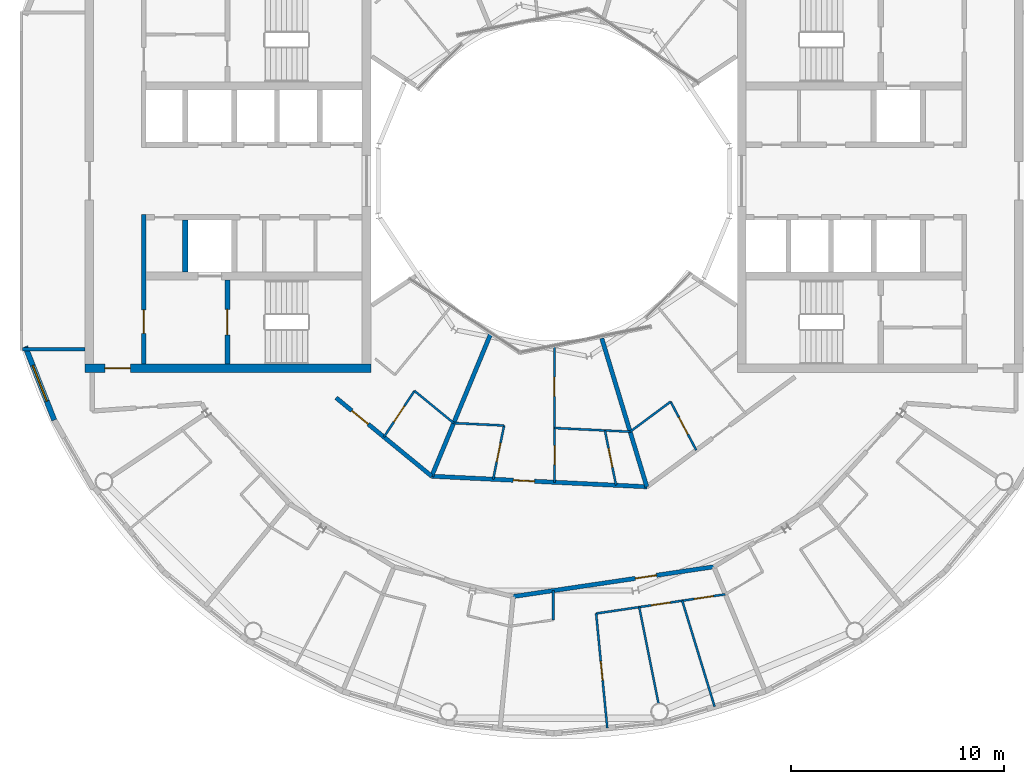
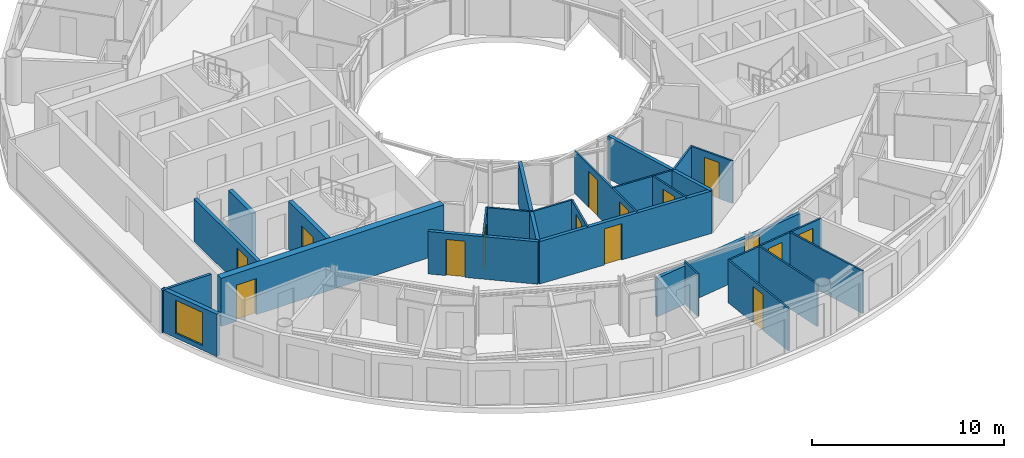
# One storey, part 12 of 22: 25 walls, 15 doors, 1 window, 16 openings.
"""IFC4 building model written with IfcOpenShell, lengths in metres."""

from ifc_helpers import new_model, si_unit, direction, frame, frame_2d, origin, place, context, subcontext, project, spatial, rectangle, extrude, material, layer, layer_set, type_object, element, fill, save


model = new_model("IFC4")

# Units and contexts
model_context = context("Model", 3, precision=1e-05, world=origin(), true_north=direction((0.0, 1.0)))
body_context = subcontext(model_context, "Body", "Model", "MODEL_VIEW")
ifc_project = project(units=[si_unit("LENGTHUNIT", "METRE"), si_unit("AREAUNIT", "SQUARE_METRE"), si_unit("VOLUMEUNIT", "CUBIC_METRE"), si_unit("PLANEANGLEUNIT", "RADIAN"), si_unit("MASSUNIT", "GRAM", prefix="KILO")], contexts=[model_context])

# Site, building, storey
site_placement = place(None, origin())
site = spatial("IfcSite", under=ifc_project, at=site_placement, CompositionType="ELEMENT")
building_placement = place(site_placement, origin())
building = spatial("IfcBuilding", under=site, at=building_placement, Name="Maasbend Ring Residences", CompositionType="ELEMENT")
storey_placement = place(building_placement, frame((0.0, 0.0, 237.10009765625)))
storey = spatial("IfcBuildingStorey", under=building, at=storey_placement, Name="L68", CompositionType="ELEMENT", Elevation=237.10009765625)

# Wall, opening, door
ifc_material_1 = material(Name="Concrete C50/60", Category="concrete")
ifc_layer_1 = layer(ifc_material_1, 0.25)
ifc_layer_set_1 = layer_set([ifc_layer_1], Name="Concrete C50/60")
wall_type_1 = type_object("IfcWallType", Name="CORE WALL 250 C50/60", PredefinedType="SHEAR", material=ifc_layer_set_1)
wall_1_placement = place(storey_placement, frame((-15.324951171875, -4.64990234375, 0.0), z_axis=(0.0, 0.0, 1.0), x_axis=(0.0, -1.0, 0.0)))
wall_1 = element("IfcWall", 1, at=wall_1_placement, inside=storey, type_object=wall_type_1, Name="L68 core W wall STEN", PredefinedType="SHEAR", context=body_context, shape_type="SweptSolid", body=[
    extrude(rectangle(XDim=3.9501953125, YDim=0.25, at=frame_2d((1.97509765625, 0.0))), origin(), (0.0, 0.0, 1.0), 3.0498046875),
])
opening_1_placement = place(wall_1_placement, frame((1.375, 0.0, 0.0)))
opening_1 = element("IfcOpeningElement", 2, at=opening_1_placement, cuts=wall_1, Name="Opening D-W6811", PredefinedType="OPENING", context=body_context, shape_type="SweptSolid", body=[
    extrude(rectangle(XDim=1.199951171875, YDim=2.300048828125, at=frame_2d((0.60009765625, 1.14990234375))), frame((0.0, 0.135009765625, 0.0), z_axis=(0.0, -1.0, 0.0), x_axis=(1.0, 0.0, 0.0)), (0.0, 0.0, 1.0), 0.27001953125),
])
ifc_material_2 = material(Name="Steel, powder coated", Category="steel")
door_type_1 = type_object("IfcDoorType", Name="STAIR DOOR 1200 X 2300 FD60", OperationType="NOTDEFINED", PredefinedType="DOOR", material=ifc_material_2)
door_1_placement = place(opening_1_placement, origin())
door_1 = element("IfcDoor", 3, at=door_1_placement, inside=storey, type_object=door_type_1, Name="Stair door ST-W L68", OperationType="SINGLE_SWING_LEFT", OverallHeight=2.300048828125, OverallWidth=1.199951171875, PredefinedType="DOOR", context=body_context, shape_type="SweptSolid", body=[
    extrude(rectangle(XDim=1.199951171875, YDim=2.300048828125, at=frame_2d((0.60009765625, 1.14990234375))), frame((0.0, 0.02490234375, 0.0), z_axis=(0.0, -1.0, 0.0), x_axis=(1.0, 0.0, 0.0)), (0.0, 0.0, 1.0), 0.050048828125),
])
fill(opening_1, door_1)

ifc_material_3 = material(Name="Concrete C50/60", Category="concrete")
ifc_layer_2 = layer(ifc_material_3, 0.39990234375)
ifc_layer_set_2 = layer_set([ifc_layer_2], Name="Concrete C50/60")
wall_type_2 = type_object("IfcWallType", Name="CORE WALL 400 C50/60", PredefinedType="SHEAR", material=ifc_layer_set_2)
wall_2_placement = place(storey_placement, frame((-22.0, -8.800048828125, 0.0), z_axis=(0.0, 0.0, 1.0), x_axis=(1.0, 0.0, 0.0)))
wall_2 = element("IfcWall", 4, at=wall_2_placement, inside=storey, type_object=wall_type_2, Name="L68 core W wall PN", PredefinedType="SHEAR", context=body_context, shape_type="SweptSolid", body=[
    extrude(rectangle(XDim=13.39990234375, YDim=0.39990234375, at=frame_2d((6.699951171875, 0.0))), origin(), (0.0, 0.0, 1.0), 3.0498046875),
])
opening_2_placement = place(wall_2_placement, frame((0.925048828125, 0.0, 0.0)))
opening_2 = element("IfcOpeningElement", 5, at=opening_2_placement, cuts=wall_2, Name="Opening D-W6815", PredefinedType="OPENING", context=body_context, shape_type="SweptSolid", body=[
    extrude(rectangle(XDim=1.199951171875, YDim=2.300048828125, at=frame_2d((0.60009765625, 1.14990234375))), frame((0.0, 0.2099609375, 0.0), z_axis=(0.0, -1.0, 0.0), x_axis=(1.0, 0.0, 0.0)), (0.0, 0.0, 1.0), 0.419921875),
])
ifc_material_4 = material(Name="Steel, powder coated", Category="steel")
door_type_2 = type_object("IfcDoorType", Name="CORRIDOR DOOR 1200 X 2300 FD30S", OperationType="NOTDEFINED", PredefinedType="DOOR", material=ifc_material_4)
door_2_placement = place(opening_2_placement, origin())
door_2 = element("IfcDoor", 6, at=door_2_placement, inside=storey, type_object=door_type_2, Name="Corridor door L68", OperationType="SINGLE_SWING_RIGHT", OverallHeight=2.300048828125, OverallWidth=1.199951171875, PredefinedType="DOOR", context=body_context, shape_type="SweptSolid", body=[
    extrude(rectangle(XDim=1.199951171875, YDim=2.300048828125, at=frame_2d((0.60009765625, 1.14990234375))), frame((0.0, 0.02490234375, 0.0), z_axis=(0.0, -1.0, 0.0), x_axis=(1.0, 0.0, 0.0)), (0.0, 0.0, 1.0), 0.050048828125),
])
fill(opening_2, door_2)

ifc_material_5 = material(Name="Concrete C30/37", Category="concrete")
ifc_layer_3 = layer(ifc_material_5, 0.199951171875)
ifc_layer_set_3 = layer_set([ifc_layer_3], Name="Concrete C30/37")
wall_type_3 = type_object("IfcWallType", Name="CORRIDOR WALL 200 CONCRETE", PredefinedType="PARTITIONING", material=ifc_layer_set_3)
wall_3_placement = place(storey_placement, frame((-1.927001953125, -19.506103515625, 0.0), z_axis=(0.0, 0.0, 1.0), x_axis=(0.989181308547, 0.146698121399, 0.0)))
wall_3 = element("IfcWall", 7, at=wall_3_placement, inside=storey, type_object=wall_type_3, Name="U-L68-w022", PredefinedType="PARTITIONING", context=body_context, shape_type="SweptSolid", body=[
    extrude(rectangle(XDim=9.531005859375, YDim=0.199951171875, at=frame_2d((4.765625, 0.0))), origin(), (0.0, 0.0, 1.0), 2.449951171875),
])
opening_3_placement = place(wall_3_placement, frame((5.81103515625, 0.0, 0.0)))
opening_3 = element("IfcOpeningElement", 8, at=opening_3_placement, cuts=wall_3, Name="Opening D-6842", PredefinedType="OPENING", context=body_context, shape_type="SweptSolid", body=[
    extrude(rectangle(XDim=1.0, YDim=2.300048828125, at=frame_2d((0.5, 1.14990234375))), frame((0.0, 0.10986328125, 0.0), z_axis=(0.0, -1.0, 0.0), x_axis=(1.0, 0.0, 0.0)), (0.0, 0.0, 1.0), 0.219970703125),
])
ifc_material_6 = material(Name="Timber, fire-rated, painted", Category="wood")
door_type_3 = type_object("IfcDoorType", Name="FLAT ENTRANCE DOOR 1000 X 2300 FIRE-RATED", OperationType="NOTDEFINED", PredefinedType="DOOR", material=ifc_material_6)
door_3_placement = place(opening_3_placement, origin())
door_3 = element("IfcDoor", 9, at=door_3_placement, inside=storey, type_object=door_type_3, Name="D-6842", OperationType="SINGLE_SWING_RIGHT", OverallHeight=2.300048828125, OverallWidth=1.0, PredefinedType="DOOR", context=body_context, shape_type="SweptSolid", body=[
    extrude(rectangle(XDim=1.0, YDim=2.300048828125, at=frame_2d((0.5, 1.14990234375))), frame((0.0, 0.02490234375, 0.0), z_axis=(0.0, -1.0, 0.0), x_axis=(1.0, 0.0, 0.0)), (0.0, 0.0, 1.0), 0.050048828125),
])
fill(opening_3, door_3)

wall_4_placement = place(storey_placement, frame((-10.22607421875, -10.177001953125, 0.0), z_axis=(0.0, 0.0, 1.0), x_axis=(0.773071783484, -0.634318545828, 0.0)))
wall_4 = element("IfcWall", 10, at=wall_4_placement, inside=storey, type_object=wall_type_3, Name="U-L68-w023", PredefinedType="PARTITIONING", context=body_context, shape_type="SweptSolid", body=[
    extrude(rectangle(XDim=5.802978515625, YDim=0.199951171875, at=frame_2d((2.9013671875, 0.0))), origin(), (0.0, 0.0, 1.0), 2.699951171875),
])
opening_4_placement = place(wall_4_placement, frame((0.948974609375, 0.0, 0.0)))
opening_4 = element("IfcOpeningElement", 11, at=opening_4_placement, cuts=wall_4, Name="Opening D-6853", PredefinedType="OPENING", context=body_context, shape_type="SweptSolid", body=[
    extrude(rectangle(XDim=1.0, YDim=2.300048828125, at=frame_2d((0.5, 1.14990234375))), frame((0.0, 0.10986328125, 0.0), z_axis=(0.0, -1.0, 0.0), x_axis=(1.0, 0.0, 0.0)), (0.0, 0.0, 1.0), 0.219970703125),
])
door_4_placement = place(opening_4_placement, origin())
door_4 = element("IfcDoor", 12, at=door_4_placement, inside=storey, type_object=door_type_3, Name="D-6853", OperationType="SINGLE_SWING_LEFT", OverallHeight=2.300048828125, OverallWidth=1.0, PredefinedType="DOOR", context=body_context, shape_type="SweptSolid", body=[
    extrude(rectangle(XDim=1.0, YDim=2.300048828125, at=frame_2d((0.5, 1.14990234375))), frame((0.0, 0.02490234375, 0.0), z_axis=(0.0, -1.0, 0.0), x_axis=(1.0, 0.0, 0.0)), (0.0, 0.0, 1.0), 0.050048828125),
])
fill(opening_4, door_4)

wall_5_placement = place(storey_placement, frame((-5.737060546875, -13.85888671875, 0.0), z_axis=(0.0, 0.0, 1.0), x_axis=(0.998799182242, -0.048991770265, 0.0)))
wall_5 = element("IfcWall", 13, at=wall_5_placement, inside=storey, type_object=wall_type_3, Name="U-L68-w024", PredefinedType="PARTITIONING", context=body_context, shape_type="SweptSolid", body=[
    extrude(rectangle(XDim=10.106201171875, YDim=0.199951171875, at=frame_2d((5.05322265625, 0.0))), origin(), (0.0, 0.0, 1.0), 2.699951171875),
])
opening_5_placement = place(wall_5_placement, frame((3.827880859375, 0.0, 0.0)))
opening_5 = element("IfcOpeningElement", 14, at=opening_5_placement, cuts=wall_5, Name="Opening D-6856", PredefinedType="OPENING", context=body_context, shape_type="SweptSolid", body=[
    extrude(rectangle(XDim=1.0, YDim=2.300048828125, at=frame_2d((0.5, 1.14990234375))), frame((0.0, 0.10986328125, 0.0), z_axis=(0.0, -1.0, 0.0), x_axis=(1.0, 0.0, 0.0)), (0.0, 0.0, 1.0), 0.219970703125),
])
door_5_placement = place(opening_5_placement, origin())
door_5 = element("IfcDoor", 15, at=door_5_placement, inside=storey, type_object=door_type_3, Name="D-6856", OperationType="SINGLE_SWING_LEFT", OverallHeight=2.300048828125, OverallWidth=1.0, PredefinedType="DOOR", context=body_context, shape_type="SweptSolid", body=[
    extrude(rectangle(XDim=1.0, YDim=2.300048828125, at=frame_2d((0.5, 1.14990234375))), frame((0.0, 0.02490234375, 0.0), z_axis=(0.0, -1.0, 0.0), x_axis=(1.0, 0.0, 0.0)), (0.0, 0.0, 1.0), 0.050048828125),
])
fill(opening_5, door_5)

# Wall, opening, window
ifc_material_7 = material(Name="Aluminium clad insulated panel", Category="aluminium")
ifc_layer_4 = layer(ifc_material_7, 0.25)
ifc_layer_set_4 = layer_set([ifc_layer_4], Name="EW-HORN")
wall_type_4 = type_object("IfcWallType", Name="EW-HORN", PredefinedType="SOLIDWALL", material=ifc_layer_set_4)
wall_6_placement = place(storey_placement, frame((-24.80908203125, -7.779052734375, 0.0), z_axis=(0.0, 0.0, 1.0), x_axis=(0.366351636034, -0.930476479432, 0.0)))
wall_6 = element("IfcWall", 16, at=wall_6_placement, inside=storey, type_object=wall_type_4, Name="Horn wall 3.1", PredefinedType="SOLIDWALL", context=body_context, shape_type="SweptSolid", body=[
    extrude(rectangle(XDim=3.70458984375, YDim=0.25, at=frame_2d((1.852294921875, 0.0))), origin(), (0.0, 0.0, 1.0), 2.699951171875),
])
opening_6_placement = place(wall_6_placement, frame((0.952392578125, 0.0, 0.300048828125)))
opening_6 = element("IfcOpeningElement", 17, at=opening_6_placement, cuts=wall_6, Name="Opening W-BX", PredefinedType="OPENING", context=body_context, shape_type="SweptSolid", body=[
    extrude(rectangle(XDim=1.800048828125, YDim=2.10009765625, at=frame_2d((0.89990234375, 1.050048828125))), frame((0.0, 0.135009765625, 0.0), z_axis=(0.0, -1.0, 0.0), x_axis=(1.0, 0.0, 0.0)), (0.0, 0.0, 1.0), 0.27001953125),
])
ifc_material_8 = material(Name="Aluminium and clear glass", Category="aluminium")
window_type = type_object("IfcWindowType", Name="W-BX", PartitioningType="DOUBLE_PANEL_VERTICAL", PredefinedType="WINDOW", material=ifc_material_8)
window_placement = place(opening_6_placement, origin())
window = element("IfcWindow", 18, at=window_placement, inside=storey, type_object=window_type, Name="Horn window 3.1", OverallHeight=2.10009765625, OverallWidth=1.800048828125, PartitioningType="SINGLE_PANEL", PredefinedType="WINDOW", context=body_context, shape_type="SweptSolid", body=[
    extrude(rectangle(XDim=1.800048828125, YDim=2.10009765625, at=frame_2d((0.89990234375, 1.050048828125))), frame((0.0, 0.030029296875, 0.0), z_axis=(0.0, -1.0, 0.0), x_axis=(1.0, 0.0, 0.0)), (0.0, 0.0, 1.0), 0.06005859375),
])
fill(opening_6, window)

# Wall, openings, doors
ifc_material_9 = material(Name="Gypsum board on steel studs", Category="steel")
ifc_layer_5 = layer(ifc_material_9, 0.10009765625)
ifc_layer_set_5 = layer_set([ifc_layer_5], Name="PARTITION 100 GYPSUM")
wall_type_5 = type_object("IfcWallType", Name="PARTITION 100 GYPSUM", PredefinedType="PARTITIONING", material=ifc_layer_set_5)
wall_7_placement = place(storey_placement, frame((1.97607421875, -20.301025390625, 0.0), z_axis=(0.0, 0.0, 1.0), x_axis=(0.989146687273, 0.146931382135, 0.0)))
wall_7 = element("IfcWall", 19, at=wall_7_placement, inside=storey, type_object=wall_type_5, Name="U-L68-w014", PredefinedType="PARTITIONING", context=body_context, shape_type="SweptSolid", body=[
    extrude(rectangle(XDim=6.126220703125, YDim=0.10009765625, at=frame_2d((3.06298828125, 0.0))), origin(), (0.0, 0.0, 1.0), 2.699951171875),
])
opening_7_placement = place(wall_7_placement, frame((2.617919921875, 0.0, 0.0)))
opening_7 = element("IfcOpeningElement", 20, at=opening_7_placement, cuts=wall_7, Name="Opening D-6845", PredefinedType="OPENING", context=body_context, shape_type="SweptSolid", body=[
    extrude(rectangle(XDim=0.89990234375, YDim=2.300048828125, at=frame_2d((0.449951171875, 1.14990234375))), frame((0.0, 0.06005859375, 0.0), z_axis=(0.0, -1.0, 0.0), x_axis=(1.0, 0.0, 0.0)), (0.0, 0.0, 1.0), 0.1201171875),
])
opening_8_placement = place(wall_7_placement, frame((4.654052734375, 0.0, 0.0)))
opening_8 = element("IfcOpeningElement", 21, at=opening_8_placement, cuts=wall_7, Name="Opening D-6846", PredefinedType="OPENING", context=body_context, shape_type="SweptSolid", body=[
    extrude(rectangle(XDim=0.89990234375, YDim=2.300048828125, at=frame_2d((0.449951171875, 1.14990234375))), frame((0.0, 0.06005859375, 0.0), z_axis=(0.0, -1.0, 0.0), x_axis=(1.0, 0.0, 0.0)), (0.0, 0.0, 1.0), 0.1201171875),
])
ifc_material_10 = material(Name="Timber, painted", Category="wood")
door_type_4 = type_object("IfcDoorType", Name="INTERNAL DOOR 900 X 2300", OperationType="NOTDEFINED", PredefinedType="DOOR", material=ifc_material_10)
door_6_placement = place(opening_7_placement, origin())
door_6 = element("IfcDoor", 22, at=door_6_placement, inside=storey, type_object=door_type_4, Name="D-6845", OperationType="SINGLE_SWING_RIGHT", OverallHeight=2.300048828125, OverallWidth=0.89990234375, PredefinedType="DOOR", context=body_context, shape_type="SweptSolid", body=[
    extrude(rectangle(XDim=0.89990234375, YDim=2.300048828125, at=frame_2d((0.449951171875, 1.14990234375))), frame((0.0, 0.02490234375, 0.0), z_axis=(0.0, -1.0, 0.0), x_axis=(1.0, 0.0, 0.0)), (0.0, 0.0, 1.0), 0.050048828125),
])
fill(opening_7, door_6)
door_7_placement = place(opening_8_placement, origin())
door_7 = element("IfcDoor", 23, at=door_7_placement, inside=storey, type_object=door_type_4, Name="D-6846", OperationType="SINGLE_SWING_RIGHT", OverallHeight=2.300048828125, OverallWidth=0.89990234375, PredefinedType="DOOR", context=body_context, shape_type="SweptSolid", body=[
    extrude(rectangle(XDim=0.89990234375, YDim=2.300048828125, at=frame_2d((0.449951171875, 1.14990234375))), frame((0.0, 0.02490234375, 0.0), z_axis=(0.0, -1.0, 0.0), x_axis=(1.0, 0.0, 0.0)), (0.0, 0.0, 1.0), 0.050048828125),
])
fill(opening_8, door_7)

# Walls
wall_8_placement = place(storey_placement, frame((-6.547119140625, -9.85400390625, 0.0), z_axis=(0.0, 0.0, 1.0), x_axis=(0.773033390712, -0.634365333893, 0.0)))
element("IfcWall", 24, at=wall_8_placement, inside=storey, type_object=wall_type_5, Name="U-L68-w027", PredefinedType="PARTITIONING", context=body_context, shape_type="SweptSolid", body=[
    extrude(rectangle(XDim=2.38037109375, YDim=0.10009765625, at=frame_2d((1.190185546875, 0.0))), origin(), (0.0, 0.0, 1.0), 2.699951171875),
])
wall_9_placement = place(storey_placement, frame((-4.70703125, -11.364013671875, 0.0), z_axis=(0.0, 0.0, 1.0), x_axis=(0.998799958351, -0.048975945103, 0.0)))
element("IfcWall", 25, at=wall_9_placement, inside=storey, type_object=wall_type_5, Name="U-L68-w028", PredefinedType="PARTITIONING", context=body_context, shape_type="SweptSolid", body=[
    extrude(rectangle(XDim=2.367919921875, YDim=0.10009765625, at=frame_2d((1.18408203125, 0.0))), origin(), (0.0, 0.0, 1.0), 2.699951171875),
])
wall_10_placement = place(storey_placement, frame((0.02294921875, -11.595947265625, 0.0), z_axis=(0.0, 0.0, 1.0), x_axis=(0.998798689193, -0.049001821055, 0.0)))
element("IfcWall", 26, at=wall_10_placement, inside=storey, type_object=wall_type_5, Name="U-L68-w029", PredefinedType="PARTITIONING", context=body_context, shape_type="SweptSolid", body=[
    extrude(rectangle(XDim=3.55224609375, YDim=0.10009765625, at=frame_2d((1.776123046875, 0.0))), origin(), (0.0, 0.0, 1.0), 2.699951171875),
])
wall_11_placement = place(storey_placement, frame((3.571044921875, -11.77001953125, 0.0), z_axis=(0.0, 0.0, 1.0), x_axis=(0.803182415278, 0.59573316828, 0.0)))
element("IfcWall", 27, at=wall_11_placement, inside=storey, type_object=wall_type_5, Name="U-L68-w030", PredefinedType="PARTITIONING", context=body_context, shape_type="SweptSolid", body=[
    extrude(rectangle(XDim=2.36669921875, YDim=0.10009765625, at=frame_2d((1.183349609375, 0.0))), origin(), (0.0, 0.0, 1.0), 2.699951171875),
])

# Wall, opening, door
wall_12_placement = place(storey_placement, frame((-7.98388671875, -12.01708984375, 0.0), z_axis=(0.0, 0.0, 1.0), x_axis=(0.553289146762, 0.832989267683, 0.0)))
wall_12 = element("IfcWall", 28, at=wall_12_placement, inside=storey, type_object=wall_type_5, Name="U-L68-w053", PredefinedType="PARTITIONING", context=body_context, shape_type="SweptSolid", body=[
    extrude(rectangle(XDim=2.5966796875, YDim=0.10009765625, at=frame_2d((1.29833984375, 0.0))), origin(), (0.0, 0.0, 1.0), 2.699951171875),
])
opening_9_placement = place(wall_12_placement, frame((0.847900390625, 0.0, 0.0)))
opening_9 = element("IfcOpeningElement", 29, at=opening_9_placement, cuts=wall_12, Name="Opening D-6854", PredefinedType="OPENING", context=body_context, shape_type="SweptSolid", body=[
    extrude(rectangle(XDim=0.89990234375, YDim=2.300048828125, at=frame_2d((0.449951171875, 1.14990234375))), frame((0.0, 0.06005859375, 0.0), z_axis=(0.0, -1.0, 0.0), x_axis=(1.0, 0.0, 0.0)), (0.0, 0.0, 1.0), 0.1201171875),
])
door_8_placement = place(opening_9_placement, origin())
door_8 = element("IfcDoor", 30, at=door_8_placement, inside=storey, type_object=door_type_4, Name="D-6854", OperationType="SINGLE_SWING_RIGHT", OverallHeight=2.300048828125, OverallWidth=0.89990234375, PredefinedType="DOOR", context=body_context, shape_type="SweptSolid", body=[
    extrude(rectangle(XDim=0.89990234375, YDim=2.300048828125, at=frame_2d((0.449951171875, 1.14990234375))), frame((0.0, 0.02490234375, 0.0), z_axis=(0.0, -1.0, 0.0), x_axis=(1.0, 0.0, 0.0)), (0.0, 0.0, 1.0), 0.050048828125),
])
fill(opening_9, door_8)

wall_13_placement = place(storey_placement, frame((-2.85595703125, -14.0, 0.0), z_axis=(0.0, 0.0, 1.0), x_axis=(0.199820523641, 0.979832515449, 0.0)))
wall_13 = element("IfcWall", 31, at=wall_13_placement, inside=storey, type_object=wall_type_5, Name="U-L68-w063", PredefinedType="PARTITIONING", context=body_context, shape_type="SweptSolid", body=[
    extrude(rectangle(XDim=2.57177734375, YDim=0.10009765625, at=frame_2d((1.285888671875, 0.0))), origin(), (0.0, 0.0, 1.0), 2.699951171875),
])
opening_10_placement = place(wall_13_placement, frame((0.8359375, 0.0, 0.0)))
opening_10 = element("IfcOpeningElement", 32, at=opening_10_placement, cuts=wall_13, Name="Opening D-6857", PredefinedType="OPENING", context=body_context, shape_type="SweptSolid", body=[
    extrude(rectangle(XDim=0.89990234375, YDim=2.300048828125, at=frame_2d((0.449951171875, 1.14990234375))), frame((0.0, 0.06005859375, 0.0), z_axis=(0.0, -1.0, 0.0), x_axis=(1.0, 0.0, 0.0)), (0.0, 0.0, 1.0), 0.1201171875),
])
door_9_placement = place(opening_10_placement, origin())
door_9 = element("IfcDoor", 33, at=door_9_placement, inside=storey, type_object=door_type_4, Name="D-6857", OperationType="SINGLE_SWING_RIGHT", OverallHeight=2.300048828125, OverallWidth=0.89990234375, PredefinedType="DOOR", context=body_context, shape_type="SweptSolid", body=[
    extrude(rectangle(XDim=0.89990234375, YDim=2.300048828125, at=frame_2d((0.449951171875, 1.14990234375))), frame((0.0, 0.02490234375, 0.0), z_axis=(0.0, -1.0, 0.0), x_axis=(1.0, 0.0, 0.0)), (0.0, 0.0, 1.0), 0.050048828125),
])
fill(opening_10, door_9)

# Wall, openings, doors
wall_14_placement = place(storey_placement, frame((0.028076171875, -14.14208984375, 0.0), z_axis=(0.0, 0.0, 1.0), x_axis=(-0.00205283734, 0.999997892927, 0.0)))
wall_14 = element("IfcWall", 34, at=wall_14_placement, inside=storey, type_object=wall_type_5, Name="U-L68-w068", PredefinedType="PARTITIONING", context=body_context, shape_type="SweptSolid", body=[
    extrude(rectangle(XDim=6.422119140625, YDim=0.10009765625, at=frame_2d((3.2109375, 0.0))), origin(), (0.0, 0.0, 1.0), 2.699951171875),
])
opening_11_placement = place(wall_14_placement, frame((0.822998046875, 0.0, 0.0)))
opening_11 = element("IfcOpeningElement", 35, at=opening_11_placement, cuts=wall_14, Name="Opening D-6858", PredefinedType="OPENING", context=body_context, shape_type="SweptSolid", body=[
    extrude(rectangle(XDim=0.89990234375, YDim=2.300048828125, at=frame_2d((0.449951171875, 1.14990234375))), frame((0.0, 0.06005859375, 0.0), z_axis=(0.0, -1.0, 0.0), x_axis=(1.0, 0.0, 0.0)), (0.0, 0.0, 1.0), 0.1201171875),
])
opening_12_placement = place(wall_14_placement, frame((4.033935546875, 0.0, 0.0)))
opening_12 = element("IfcOpeningElement", 36, at=opening_12_placement, cuts=wall_14, Name="Opening D-6860", PredefinedType="OPENING", context=body_context, shape_type="SweptSolid", body=[
    extrude(rectangle(XDim=0.89990234375, YDim=2.300048828125, at=frame_2d((0.449951171875, 1.14990234375))), frame((0.0, 0.06005859375, 0.0), z_axis=(0.0, -1.0, 0.0), x_axis=(1.0, 0.0, 0.0)), (0.0, 0.0, 1.0), 0.1201171875),
])
door_10_placement = place(opening_11_placement, origin())
door_10 = element("IfcDoor", 37, at=door_10_placement, inside=storey, type_object=door_type_4, Name="D-6858", OperationType="SINGLE_SWING_LEFT", OverallHeight=2.300048828125, OverallWidth=0.89990234375, PredefinedType="DOOR", context=body_context, shape_type="SweptSolid", body=[
    extrude(rectangle(XDim=0.89990234375, YDim=2.300048828125, at=frame_2d((0.449951171875, 1.14990234375))), frame((0.0, 0.02490234375, 0.0), z_axis=(0.0, -1.0, 0.0), x_axis=(1.0, 0.0, 0.0)), (0.0, 0.0, 1.0), 0.050048828125),
])
fill(opening_11, door_10)
door_11_placement = place(opening_12_placement, origin())
door_11 = element("IfcDoor", 38, at=door_11_placement, inside=storey, type_object=door_type_4, Name="D-6860", OperationType="SINGLE_SWING_RIGHT", OverallHeight=2.300048828125, OverallWidth=0.89990234375, PredefinedType="DOOR", context=body_context, shape_type="SweptSolid", body=[
    extrude(rectangle(XDim=0.89990234375, YDim=2.300048828125, at=frame_2d((0.449951171875, 1.14990234375))), frame((0.0, 0.02490234375, 0.0), z_axis=(0.0, -1.0, 0.0), x_axis=(1.0, 0.0, 0.0)), (0.0, 0.0, 1.0), 0.050048828125),
])
fill(opening_12, door_11)

# Wall, opening, door
wall_15_placement = place(storey_placement, frame((1.97607421875, -20.300048828125, 0.0), z_axis=(0.0, 0.0, 1.0), x_axis=(0.096962417892, -0.995288043491, 0.0)))
wall_15 = element("IfcWall", 39, at=wall_15_placement, inside=storey, type_object=wall_type_5, Name="U-L68-w071", PredefinedType="PARTITIONING", context=body_context, shape_type="SweptSolid", body=[
    extrude(rectangle(XDim=5.4033203125, YDim=0.10009765625, at=frame_2d((2.70166015625, 0.0))), origin(), (0.0, 0.0, 1.0), 2.699951171875),
])
opening_13_placement = place(wall_15_placement, frame((2.251953125, 0.0, 0.0)))
opening_13 = element("IfcOpeningElement", 40, at=opening_13_placement, cuts=wall_15, Name="Opening D-6844", PredefinedType="OPENING", context=body_context, shape_type="SweptSolid", body=[
    extrude(rectangle(XDim=0.89990234375, YDim=2.300048828125, at=frame_2d((0.449951171875, 1.14990234375))), frame((0.0, 0.06005859375, 0.0), z_axis=(0.0, -1.0, 0.0), x_axis=(1.0, 0.0, 0.0)), (0.0, 0.0, 1.0), 0.1201171875),
])
door_12_placement = place(opening_13_placement, origin())
door_12 = element("IfcDoor", 41, at=door_12_placement, inside=storey, type_object=door_type_4, Name="D-6844", OperationType="SINGLE_SWING_RIGHT", OverallHeight=2.300048828125, OverallWidth=0.89990234375, PredefinedType="DOOR", context=body_context, shape_type="SweptSolid", body=[
    extrude(rectangle(XDim=0.89990234375, YDim=2.300048828125, at=frame_2d((0.449951171875, 1.14990234375))), frame((0.0, 0.02490234375, 0.0), z_axis=(0.0, -1.0, 0.0), x_axis=(1.0, 0.0, 0.0)), (0.0, 0.0, 1.0), 0.050048828125),
])
fill(opening_13, door_12)

wall_16_placement = place(storey_placement, frame((2.387939453125, -11.7119140625, 0.0), z_axis=(0.0, 0.0, 1.0), x_axis=(0.19976495468, -0.979843846172, 0.0)))
wall_16 = element("IfcWall", 42, at=wall_16_placement, inside=storey, type_object=wall_type_5, Name="U-L68-w074", PredefinedType="PARTITIONING", context=body_context, shape_type="SweptSolid", body=[
    extrude(rectangle(XDim=2.6240234375, YDim=0.10009765625, at=frame_2d((1.31201171875, 0.0))), origin(), (0.0, 0.0, 1.0), 2.699951171875),
])
opening_14_placement = place(wall_16_placement, frame((0.862060546875, 0.0, 0.0)))
opening_14 = element("IfcOpeningElement", 43, at=opening_14_placement, cuts=wall_16, Name="Opening D-6859", PredefinedType="OPENING", context=body_context, shape_type="SweptSolid", body=[
    extrude(rectangle(XDim=0.89990234375, YDim=2.300048828125, at=frame_2d((0.449951171875, 1.14990234375))), frame((0.0, 0.06005859375, 0.0), z_axis=(0.0, -1.0, 0.0), x_axis=(1.0, 0.0, 0.0)), (0.0, 0.0, 1.0), 0.1201171875),
])
door_13_placement = place(opening_14_placement, origin())
door_13 = element("IfcDoor", 44, at=door_13_placement, inside=storey, type_object=door_type_4, Name="D-6859", OperationType="SINGLE_SWING_RIGHT", OverallHeight=2.300048828125, OverallWidth=0.89990234375, PredefinedType="DOOR", context=body_context, shape_type="SweptSolid", body=[
    extrude(rectangle(XDim=0.89990234375, YDim=2.300048828125, at=frame_2d((0.449951171875, 1.14990234375))), frame((0.0, 0.02490234375, 0.0), z_axis=(0.0, -1.0, 0.0), x_axis=(1.0, 0.0, 0.0)), (0.0, 0.0, 1.0), 0.050048828125),
])
fill(opening_14, door_13)

# Wall
wall_17_placement = place(storey_placement, frame((3.998046875, -20.0, 0.0), z_axis=(0.0, 0.0, 1.0), x_axis=(0.196034579116, -0.980596983368, 0.0)))
element("IfcWall", 45, at=wall_17_placement, inside=storey, type_object=wall_type_5, Name="U-L68-w076", PredefinedType="PARTITIONING", context=body_context, shape_type="SweptSolid", body=[
    extrude(rectangle(XDim=4.60546875, YDim=0.10009765625, at=frame_2d((2.302734375, 0.0))), origin(), (0.0, 0.0, 1.0), 2.699951171875),
])

# Wall, opening, door
wall_18_placement = place(storey_placement, frame((5.471923828125, -10.360107421875, 0.0), z_axis=(0.0, 0.0, 1.0), x_axis=(0.467373035141, -0.884060204976, 0.0)))
wall_18 = element("IfcWall", 46, at=wall_18_placement, inside=storey, type_object=wall_type_5, Name="U-L68-w079", PredefinedType="PARTITIONING", context=body_context, shape_type="SweptSolid", body=[
    extrude(rectangle(XDim=2.572021484375, YDim=0.10009765625, at=frame_2d((1.2861328125, 0.0))), origin(), (0.0, 0.0, 1.0), 2.699951171875),
])
opening_15_placement = place(wall_18_placement, frame((0.8359375, 0.0, 0.0)))
opening_15 = element("IfcOpeningElement", 47, at=opening_15_placement, cuts=wall_18, Name="Opening D-6862", PredefinedType="OPENING", context=body_context, shape_type="SweptSolid", body=[
    extrude(rectangle(XDim=0.89990234375, YDim=2.300048828125, at=frame_2d((0.449951171875, 1.14990234375))), frame((0.0, 0.06005859375, 0.0), z_axis=(0.0, -1.0, 0.0), x_axis=(1.0, 0.0, 0.0)), (0.0, 0.0, 1.0), 0.1201171875),
])
door_14_placement = place(opening_15_placement, origin())
door_14 = element("IfcDoor", 48, at=door_14_placement, inside=storey, type_object=door_type_4, Name="D-6862", OperationType="SINGLE_SWING_LEFT", OverallHeight=2.300048828125, OverallWidth=0.89990234375, PredefinedType="DOOR", context=body_context, shape_type="SweptSolid", body=[
    extrude(rectangle(XDim=0.89990234375, YDim=2.300048828125, at=frame_2d((0.449951171875, 1.14990234375))), frame((0.0, 0.02490234375, 0.0), z_axis=(0.0, -1.0, 0.0), x_axis=(1.0, 0.0, 0.0)), (0.0, 0.0, 1.0), 0.050048828125),
])
fill(opening_15, door_14)

# Walls
wall_19_placement = place(storey_placement, frame((6.01708984375, -19.700927734375, 0.0), z_axis=(0.0, 0.0, 1.0), x_axis=(0.292244771208, -0.956343554222, 0.0)))
element("IfcWall", 49, at=wall_19_placement, inside=storey, type_object=wall_type_5, Name="U-L68-w081", PredefinedType="PARTITIONING", context=body_context, shape_type="SweptSolid", body=[
    extrude(rectangle(XDim=5.201171875, YDim=0.10009765625, at=frame_2d((2.6005859375, 0.0))), origin(), (0.0, 0.0, 1.0), 2.699951171875),
])
wall_20_placement = place(storey_placement, frame((-0.0390625, -20.59912109375, 0.0), z_axis=(0.0, 0.0, 1.0), x_axis=(0.001422473668, 0.999998988284, 0.0)))
element("IfcWall", 50, at=wall_20_placement, inside=storey, type_object=wall_type_5, Name="U-L68-w096", PredefinedType="PARTITIONING", context=body_context, shape_type="SweptSolid", body=[
    extrude(rectangle(XDim=1.373046875, YDim=0.10009765625, at=frame_2d((0.6865234375, 0.0))), origin(), (0.0, 0.0, 1.0), 2.699951171875),
])
ifc_material_11 = material(Name="Gypsum board on steel studs", Category="steel")
ifc_layer_6 = layer(ifc_material_11, 0.14990234375)
ifc_layer_set_6 = layer_set([ifc_layer_6], Name="PARTITION 150 EI 60")
wall_type_6 = type_object("IfcWallType", Name="PARTITION 150 EI 60", PredefinedType="PARTITIONING", material=ifc_layer_set_6)
wall_21_placement = place(storey_placement, frame((-22.0, -7.89990234375, 0.0), z_axis=(0.0, 0.0, 1.0), x_axis=(-1.0, 0.0, 0.0)))
element("IfcWall", 51, at=wall_21_placement, inside=storey, type_object=wall_type_6, Name="L68 core W wall CITN", PredefinedType="PARTITIONING", context=body_context, shape_type="SweptSolid", body=[
    extrude(rectangle(XDim=2.93994140625, YDim=0.14990234375, at=frame_2d((1.469970703125, 0.0))), origin(), (0.0, 0.0, 1.0), 2.699951171875),
])
ifc_material_12 = material(Name="Concrete C30/37", Category="concrete")
ifc_layer_7 = layer(ifc_material_12, 0.199951171875)
ifc_layer_set_7 = layer_set([ifc_layer_7], Name="Concrete C30/37")
wall_type_7 = type_object("IfcWallType", Name="PARTY WALL 200 CONCRETE", PredefinedType="PARTITIONING", material=ifc_layer_set_7)
wall_22_placement = place(storey_placement, frame((-5.739990234375, -13.85791015625, 0.0), z_axis=(0.0, 0.0, 1.0), x_axis=(0.38267858248, 0.923881541385, 0.0)))
element("IfcWall", 52, at=wall_22_placement, inside=storey, type_object=wall_type_7, Name="U-L68-w059", PredefinedType="PARTITIONING", context=body_context, shape_type="SweptSolid", body=[
    extrude(rectangle(XDim=7.280029296875, YDim=0.199951171875, at=frame_2d((3.64013671875, 0.0))), origin(), (0.0, 0.0, 1.0), 2.699951171875),
])
wall_23_placement = place(storey_placement, frame((2.240966796875, -7.387939453125, 0.0), z_axis=(0.0, 0.0, 1.0), x_axis=(0.29039551313, -0.956906707027, 0.0)))
element("IfcWall", 53, at=wall_23_placement, inside=storey, type_object=wall_type_7, Name="U-L68-w072", PredefinedType="PARTITIONING", context=body_context, shape_type="SweptSolid", body=[
    extrude(rectangle(XDim=7.27978515625, YDim=0.199951171875, at=frame_2d((3.639892578125, 0.0))), origin(), (0.0, 0.0, 1.0), 2.699951171875),
])

# Wall, opening, door
ifc_material_13 = material(Name="Concrete C30/37", Category="concrete")
ifc_layer_8 = layer(ifc_material_13, 0.199951171875)
ifc_layer_set_8 = layer_set([ifc_layer_8], Name="Concrete C30/37")
wall_type_8 = type_object("IfcWallType", Name="SHAFT WALL 200 EI 120", PredefinedType="SOLIDWALL", material=ifc_layer_set_8)
wall_24_placement = place(storey_placement, frame((-19.25, -1.574951171875, 0.0), z_axis=(0.0, 0.0, 1.0), x_axis=(0.0, -1.0, 0.0)))
wall_24 = element("IfcWall", 54, at=wall_24_placement, inside=storey, type_object=wall_type_8, Name="L68 core W wall ENDN", PredefinedType="SOLIDWALL", context=body_context, shape_type="SweptSolid", body=[
    extrude(rectangle(XDim=7.025146484375, YDim=0.199951171875, at=frame_2d((3.5126953125, 0.0))), origin(), (0.0, 0.0, 1.0), 2.699951171875),
])
opening_16_placement = place(wall_24_placement, frame((4.47509765625, 0.0, 0.0)))
opening_16 = element("IfcOpeningElement", 55, at=opening_16_placement, cuts=wall_24, Name="Opening D-W6813", PredefinedType="OPENING", context=body_context, shape_type="SweptSolid", body=[
    extrude(rectangle(XDim=1.10009765625, YDim=2.300048828125, at=frame_2d((0.550048828125, 1.14990234375))), frame((0.0, 0.10986328125, 0.0), z_axis=(0.0, -1.0, 0.0), x_axis=(1.0, 0.0, 0.0)), (0.0, 0.0, 1.0), 0.219970703125),
])
ifc_material_14 = material(Name="Steel, powder coated", Category="steel")
door_type_5 = type_object("IfcDoorType", Name="LOBBY DOOR 1100 X 2300 FD60", OperationType="NOTDEFINED", PredefinedType="DOOR", material=ifc_material_14)
door_15_placement = place(opening_16_placement, origin())
door_15 = element("IfcDoor", 56, at=door_15_placement, inside=storey, type_object=door_type_5, Name="Lobby door L68", OperationType="SINGLE_SWING_LEFT", OverallHeight=2.300048828125, OverallWidth=1.10009765625, PredefinedType="DOOR", context=body_context, shape_type="SweptSolid", body=[
    extrude(rectangle(XDim=1.10009765625, YDim=2.300048828125, at=frame_2d((0.550048828125, 1.14990234375))), frame((0.0, 0.02490234375, 0.0), z_axis=(0.0, -1.0, 0.0), x_axis=(1.0, 0.0, 0.0)), (0.0, 0.0, 1.0), 0.050048828125),
])
fill(opening_16, door_15)

# Wall
ifc_material_15 = material(Name="Concrete C30/37", Category="concrete")
ifc_layer_9 = layer(ifc_material_15, 0.25)
ifc_layer_set_9 = layer_set([ifc_layer_9], Name="Concrete C30/37")
wall_type_9 = type_object("IfcWallType", Name="SHAFT WALL 250 EI 120", PredefinedType="SOLIDWALL", material=ifc_layer_set_9)
wall_25_placement = place(storey_placement, frame((-17.300048828125, -1.824951171875, 0.0), z_axis=(0.0, 0.0, 1.0), x_axis=(0.0, -1.0, 0.0)))
element("IfcWall", 57, at=wall_25_placement, inside=storey, type_object=wall_type_9, Name="L68 core W wall D173N", PredefinedType="SOLIDWALL", context=body_context, shape_type="SweptSolid", body=[
    extrude(rectangle(XDim=2.449951171875, YDim=0.25, at=frame_2d((1.22509765625, 0.0))), origin(), (0.0, 0.0, 1.0), 2.699951171875),
])

save(model, "model.ifc")
